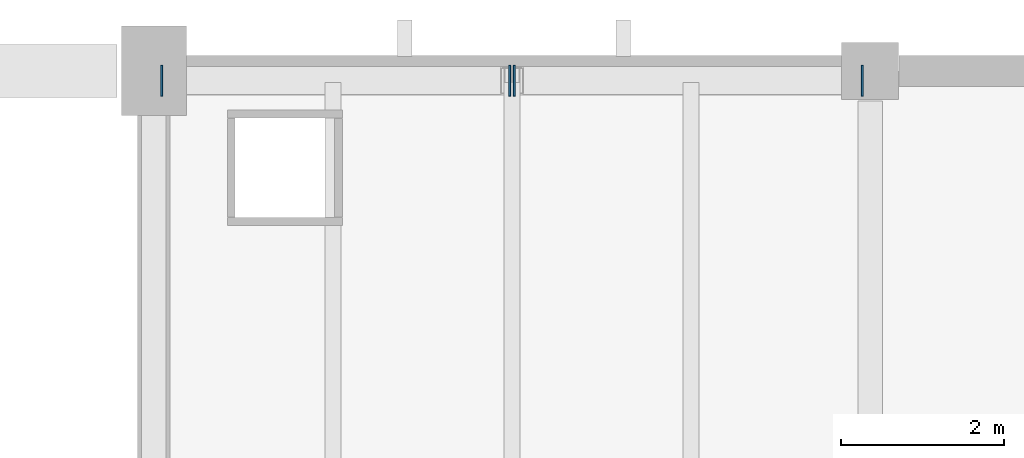
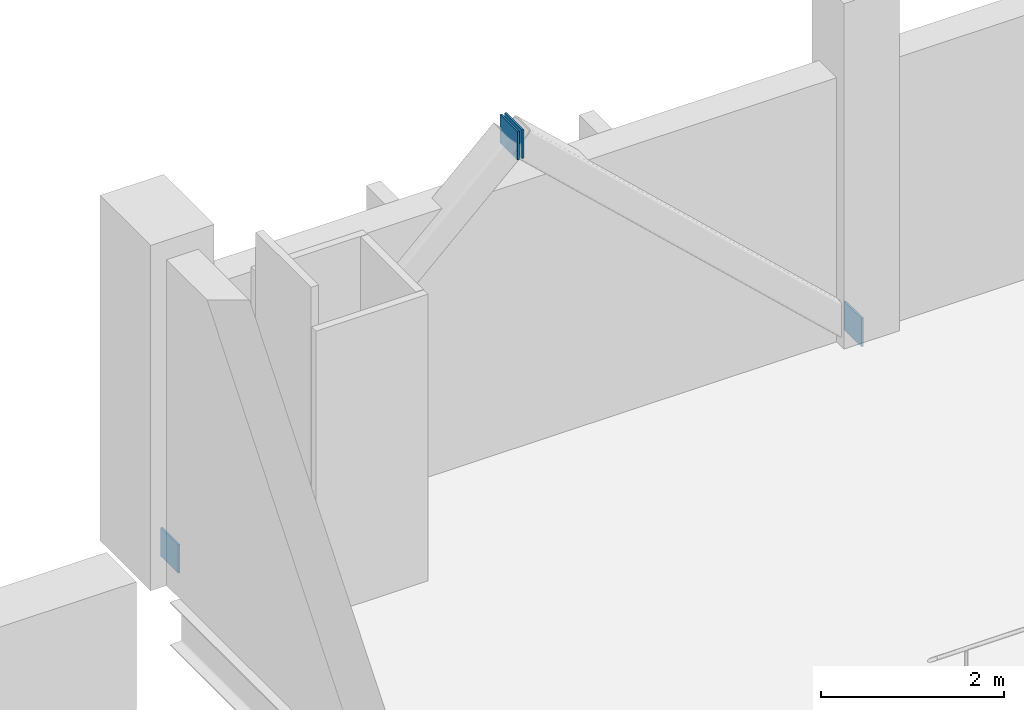
# One storey, part 26 of 37: 4 plates.
"""IFC4 building model written with IfcOpenShell, lengths in metres."""

from ifc_helpers import new_model, si_unit, direction, frame, origin, origin_2d, place, context, subcontext, project, spatial, rectangle, extrude, material, layer, layer_set, type_object, element, save


model = new_model("IFC4")

# Units and contexts
model_context = context("Model", 3, precision=1e-05, world=origin(), true_north=direction((0.0, 1.0)))
body_context = subcontext(model_context, "Body", "Model", "MODEL_VIEW")
ifc_project = project(units=[si_unit("LENGTHUNIT", "METRE"), si_unit("AREAUNIT", "SQUARE_METRE"), si_unit("VOLUMEUNIT", "CUBIC_METRE"), si_unit("PLANEANGLEUNIT", "RADIAN"), si_unit("MASSUNIT", "GRAM", prefix="KILO")], contexts=[model_context])

# Site, building, storey
site_placement = place(None, origin())
site = spatial("IfcSite", under=ifc_project, at=site_placement, CompositionType="ELEMENT")
building_placement = place(site_placement, origin())
building = spatial("IfcBuilding", under=site, at=building_placement, Name="Shengluoqiao Park Theatre", CompositionType="ELEMENT")
storey_placement = place(building_placement, frame((0.0, 0.0, 19.199951171875)))
storey = spatial("IfcBuildingStorey", under=building, at=storey_placement, Name="L04", CompositionType="ELEMENT", Elevation=19.199951171875)

# Plates
ifc_material = material(Name="Steel Q390", Category="steel")
ifc_layer = layer(ifc_material, 0.02392578125, Name="Steel Q390")
ifc_layer_set = layer_set([ifc_layer], Name="Steel Q390")
plate_type = type_object("IfcPlateType", Name="STR-PLT-EC-360", PredefinedType="SHEET", material=ifc_layer_set)
for number, where, z_axis, x_axis, name in (
    (1, (86.49462890625, 113.8798828125, -0.081787109375), (0.0, 0.0, 1.0), (1.0, 0.0, 0.0), "Hollow Tube End Cap Plate 00136"),
    (2, (90.771484375, 113.8798828125, 3.923828125), (0.0, 0.0, 1.0), (1.0, 0.0, 0.0), "Hollow Tube End Cap Plate 00137"),
    (3, (95.10546875, 113.8798828125, -0.081787109375), (0.0, 0.0, 1.0), (-1.0, 0.0, 0.0), "Hollow Tube End Cap Plate 00138"),
    (4, (90.82861328125, 113.8798828125, 3.923828125), (0.0, 0.0, 1.0), (-1.0, 0.0, 0.0), "Hollow Tube End Cap Plate 00139"),
):
    element("IfcPlate", number, at=place(storey_placement, frame(where, z_axis=z_axis, x_axis=x_axis)), inside=storey, type_object=plate_type, Name=name, PredefinedType="SHEET", context=body_context, shape_type="SweptSolid", body=[
        extrude(rectangle(XDim=0.02392578125, YDim=0.3798828125, at=origin_2d()), origin(), (0.0, 0.0, 1.0), 0.3798828125),
    ])

save(model, "model.ifc")
